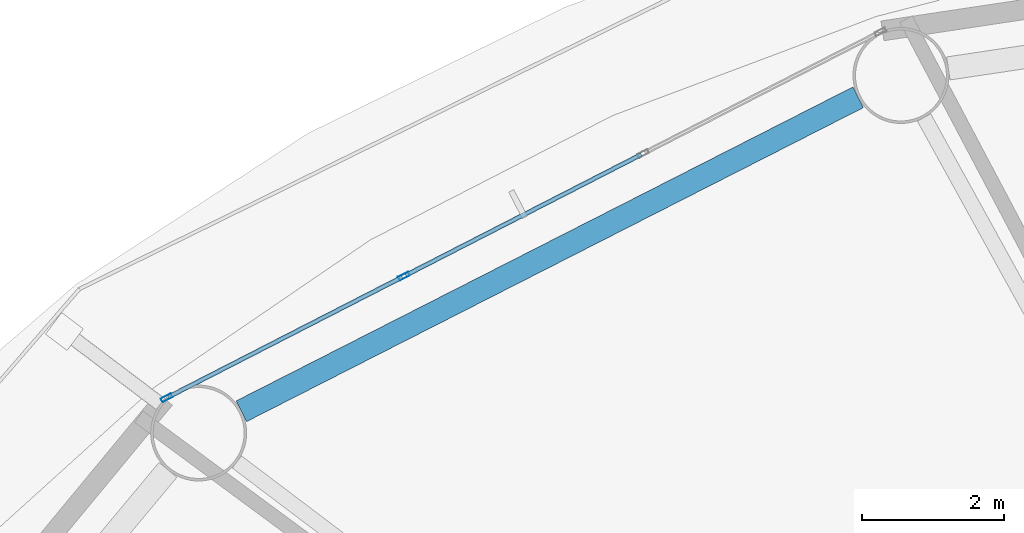
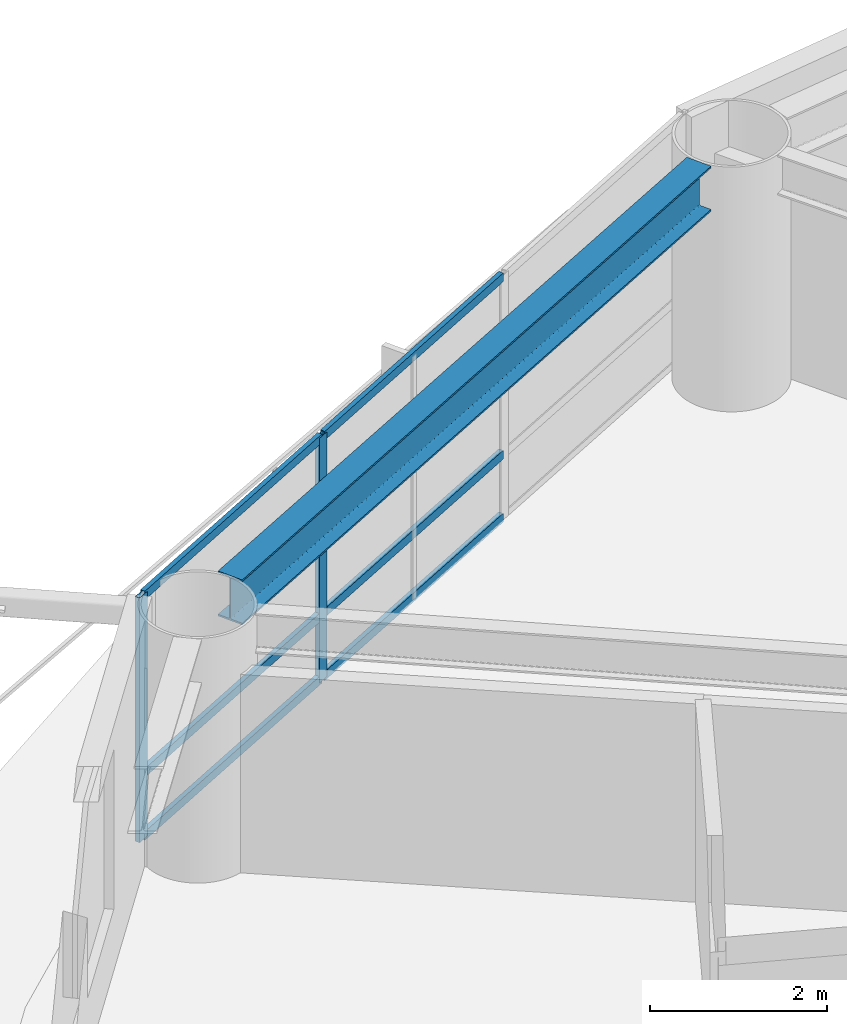
# One storey, part 10 of 26: 8 members, 1 beam, 1 element without a shape of its own.
"""IFC4 building model written with IfcOpenShell, lengths in metres."""

from ifc_helpers import new_model, si_unit, direction, frame, origin, origin_2d, place, context, subcontext, project, spatial, hollow_rectangle, i_section, extrude, material, layer, layer_set, material_profile, profile_set, type_object, element, aggregate, save


model = new_model("IFC4")

# Units and contexts
model_context = context("Model", 3, precision=1e-05, world=origin(), true_north=direction((0.0, 1.0)))
body_context = subcontext(model_context, "Body", "Model", "MODEL_VIEW")
ifc_project = project(units=[si_unit("LENGTHUNIT", "METRE"), si_unit("AREAUNIT", "SQUARE_METRE"), si_unit("VOLUMEUNIT", "CUBIC_METRE"), si_unit("PLANEANGLEUNIT", "RADIAN"), si_unit("MASSUNIT", "GRAM", prefix="KILO")], contexts=[model_context])

# Site, building, storey
site_placement = place(None, origin())
site = spatial("IfcSite", under=ifc_project, at=site_placement, CompositionType="ELEMENT")
building_placement = place(site_placement, origin())
building = spatial("IfcBuilding", under=site, at=building_placement, Name="Sarneth Arch Tower", CompositionType="ELEMENT")
storey_placement = place(building_placement, frame((0.0, 0.0, 46.199951171875)))
storey = spatial("IfcBuildingStorey", under=building, at=storey_placement, Name="L10", CompositionType="ELEMENT", Elevation=46.199951171875)

# Beam
ifc_material_1 = material(Name="Steel S355", Category="steel")
ifc_material_profile_1 = material_profile(ifc_material_1, i_section(OverallWidth=0.326904296875, OverallDepth=0.6220703125, WebThickness=0.015380859375, FlangeThickness=0.0244140625, FilletRadius=0.01904296875, at=origin_2d()), Name="W610x195")
ifc_profile_set_1 = profile_set([ifc_material_profile_1], Name="Steel S355")
beam_type = type_object("IfcBeamType", Name="BM-SPAN-610A", PredefinedType="SPANDREL", material=ifc_profile_set_1)
beam_placement = place(storey_placement, frame((35.58056640625, 63.127685546875, 3.069091796875), z_axis=(-0.8911738076, -0.453662037919, 0.0), x_axis=(0.453662037919, -0.8911738076, 0.0)))
element("IfcBeam", 1, at=beam_placement, inside=storey, type_object=beam_type, Name="L10 Perimeter spandrel beam 06", PredefinedType="SPANDREL", context=body_context, shape_type="SweptSolid", body=[
    extrude(i_section(OverallWidth=0.326904296875, OverallDepth=0.6220703125, WebThickness=0.015380859375, FlangeThickness=0.0244140625, FilletRadius=0.01904296875, at=origin_2d()), origin(), (0.0, 0.0, 1.0), 9.735107421875),
])

# Curtain wall, members
ifc_material_2 = material(Name="Anodised aluminium Type AA25 and solar-control low-e laminated IGU", Category="aluminium")
ifc_layer = layer(ifc_material_2, 0.159912109375)
ifc_layer_set = layer_set([ifc_layer], Name="Anodised aluminium Type AA25 and solar-control low-e laminated IGU")
curtain_wall_type = type_object("IfcCurtainWallType", Name="CW-HOTEL-LOW", PredefinedType="NOTDEFINED", material=ifc_layer_set)
curtain_wall_placement = place(storey_placement, origin())
curtain_wall = element("IfcCurtainWall", 2, at=curtain_wall_placement, inside=storey, type_object=curtain_wall_type, Name="L10 Unitised curtain wall facet 06", PredefinedType="NOTDEFINED")
ifc_material_3 = material(Name="Anodised Aluminium 6063-T6", Category="aluminium")
ifc_material_profile_2 = material_profile(ifc_material_3, hollow_rectangle(XDim=0.06005859375, YDim=0.159912109375, WallThickness=0.00390625, at=origin_2d()), Name="AL-MULL-160x60x4")
ifc_profile_set_2 = profile_set([ifc_material_profile_2], Name="Anodised Aluminium 6063-T6")
member_type_1 = type_object("IfcMemberType", Name="CW-MULLION", PredefinedType="MULLION", material=ifc_profile_set_2)
member_1_placement = place(storey_placement, frame((29.19140625, 60.611328125, 0.0), z_axis=(0.0, 0.0, 1.0), x_axis=(0.456245197127, -0.889854100456, 0.0)))
member_1 = element("IfcMember", 3, at=member_1_placement, type_object=member_type_1, Name="CW-SYS-3 mullion 3", PredefinedType="MULLION", context=body_context, shape_type="SweptSolid", body=[
    extrude(hollow_rectangle(XDim=0.06005859375, YDim=0.159912109375, WallThickness=0.00390625, at=origin_2d()), origin(), (0.0, 0.0, 1.0), 3.380126953125),
])
member_2_placement = place(storey_placement, frame((25.8525390625, 58.8994140625, 0.0), z_axis=(0.0, 0.0, 1.0), x_axis=(0.456245197127, -0.889854100456, 0.0)))
member_2 = element("IfcMember", 4, at=member_2_placement, type_object=member_type_1, Name="CW-SYS-3 mullion 4", PredefinedType="MULLION", context=body_context, shape_type="SweptSolid", body=[
    extrude(hollow_rectangle(XDim=0.06005859375, YDim=0.159912109375, WallThickness=0.00390625, at=origin_2d()), origin(), (0.0, 0.0, 1.0), 3.380126953125),
])
ifc_material_4 = material(Name="Anodised Aluminium 6063-T6", Category="aluminium")
ifc_material_profile_3 = material_profile(ifc_material_4, hollow_rectangle(XDim=0.06005859375, YDim=0.1201171875, WallThickness=0.00390625, at=origin_2d()), Name="AL-TRAN-120x60x4")
ifc_profile_set_3 = profile_set([ifc_material_profile_3], Name="Anodised Aluminium 6063-T6")
member_type_2 = type_object("IfcMemberType", Name="CW-TRANSOM", PredefinedType="USERDEFINED", material=ifc_profile_set_3)
member_3_placement = place(storey_placement, frame((32.530029296875, 62.322998046875, 0.030029296875), z_axis=(-0.889868677022, -0.456216766083, 0.0), x_axis=(0.456216766083, -0.889868677022, 0.0)))
member_3 = element("IfcMember", 5, at=member_3_placement, type_object=member_type_2, Name="CW-SYS-3 transom 2.1", ObjectType="TRANSOM", PredefinedType="USERDEFINED", context=body_context, shape_type="SweptSolid", body=[
    extrude(hollow_rectangle(XDim=0.06005859375, YDim=0.1201171875, WallThickness=0.00390625, at=origin_2d()), origin(), (0.0, 0.0, 1.0), 3.721923828125),
])
member_4_placement = place(storey_placement, frame((32.530029296875, 62.322998046875, 0.900146484375), z_axis=(-0.889868677022, -0.456216766083, 0.0), x_axis=(0.456216766083, -0.889868677022, 0.0)))
member_4 = element("IfcMember", 6, at=member_4_placement, type_object=member_type_2, Name="CW-SYS-3 transom 2.2", ObjectType="TRANSOM", PredefinedType="USERDEFINED", context=body_context, shape_type="SweptSolid", body=[
    extrude(hollow_rectangle(XDim=0.06005859375, YDim=0.1201171875, WallThickness=0.00390625, at=origin_2d()), origin(), (0.0, 0.0, 1.0), 3.721923828125),
])
member_5_placement = place(storey_placement, frame((32.530029296875, 62.322998046875, 3.35009765625), z_axis=(-0.889868677022, -0.456216766083, 0.0), x_axis=(0.456216766083, -0.889868677022, 0.0)))
member_5 = element("IfcMember", 7, at=member_5_placement, type_object=member_type_2, Name="CW-SYS-3 transom 2.3", ObjectType="TRANSOM", PredefinedType="USERDEFINED", context=body_context, shape_type="SweptSolid", body=[
    extrude(hollow_rectangle(XDim=0.06005859375, YDim=0.1201171875, WallThickness=0.00390625, at=origin_2d()), origin(), (0.0, 0.0, 1.0), 3.721923828125),
])
member_6_placement = place(storey_placement, frame((29.16455078125, 60.597412109375, 0.030029296875), z_axis=(-0.889871845224, -0.456210586327, 0.0), x_axis=(0.456210586327, -0.889871845224, 0.0)))
member_6 = element("IfcMember", 8, at=member_6_placement, type_object=member_type_2, Name="CW-SYS-3 transom 3.1", ObjectType="TRANSOM", PredefinedType="USERDEFINED", context=body_context, shape_type="SweptSolid", body=[
    extrude(hollow_rectangle(XDim=0.06005859375, YDim=0.1201171875, WallThickness=0.00390625, at=origin_2d()), origin(), (0.0, 0.0, 1.0), 3.69189453125),
])
member_7_placement = place(storey_placement, frame((29.16455078125, 60.597412109375, 0.900146484375), z_axis=(-0.889871845224, -0.456210586327, 0.0), x_axis=(0.456210586327, -0.889871845224, 0.0)))
member_7 = element("IfcMember", 9, at=member_7_placement, type_object=member_type_2, Name="CW-SYS-3 transom 3.2", ObjectType="TRANSOM", PredefinedType="USERDEFINED", context=body_context, shape_type="SweptSolid", body=[
    extrude(hollow_rectangle(XDim=0.06005859375, YDim=0.1201171875, WallThickness=0.00390625, at=origin_2d()), origin(), (0.0, 0.0, 1.0), 3.69189453125),
])
member_8_placement = place(storey_placement, frame((29.16455078125, 60.597412109375, 3.35009765625), z_axis=(-0.889871845224, -0.456210586327, 0.0), x_axis=(0.456210586327, -0.889871845224, 0.0)))
member_8 = element("IfcMember", 10, at=member_8_placement, type_object=member_type_2, Name="CW-SYS-3 transom 3.3", ObjectType="TRANSOM", PredefinedType="USERDEFINED", context=body_context, shape_type="SweptSolid", body=[
    extrude(hollow_rectangle(XDim=0.06005859375, YDim=0.1201171875, WallThickness=0.00390625, at=origin_2d()), origin(), (0.0, 0.0, 1.0), 3.69189453125),
])
aggregate(curtain_wall, [member_1, member_2, member_3, member_4, member_5, member_6, member_7, member_8])

save(model, "model.ifc")
